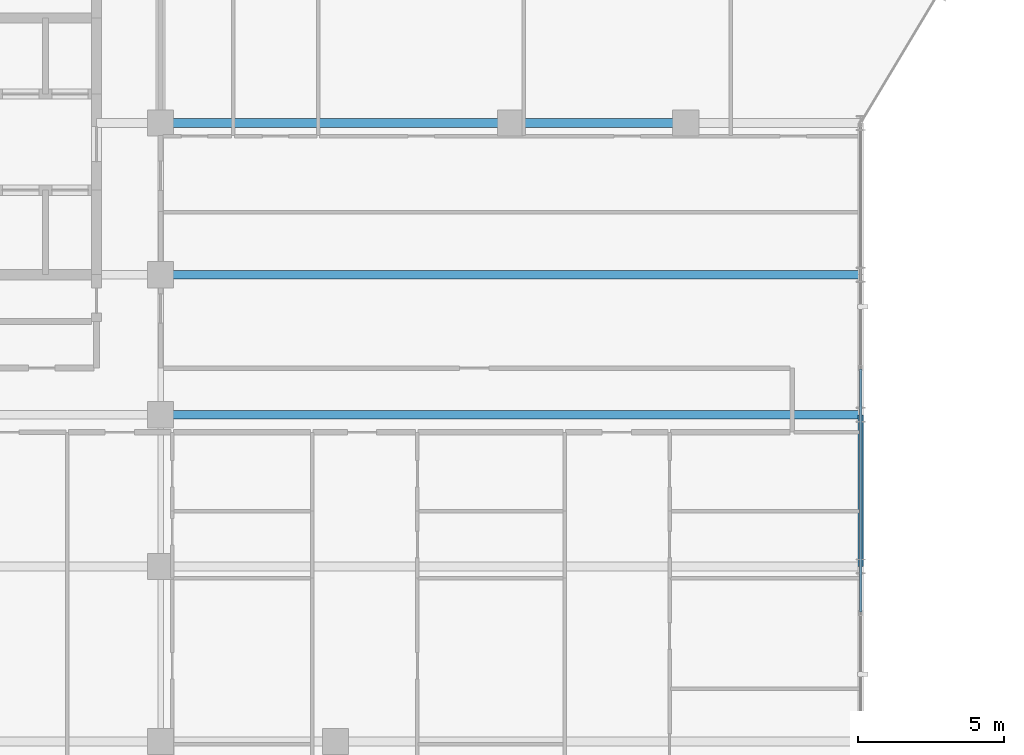
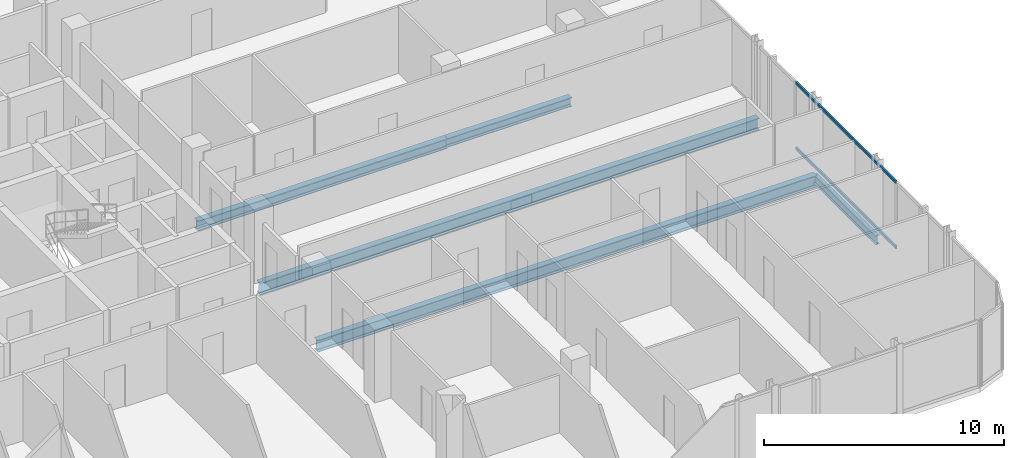
# One storey, part 12 of 31: 5 beams, 2 members, 1 element without a shape of its own.
"""IFC4 building model written with IfcOpenShell, lengths in metres."""

from ifc_helpers import new_model, si_unit, direction, frame, origin, origin_2d, place, context, subcontext, project, spatial, hollow_rectangle, i_section, extrude, material, layer, layer_set, material_profile, profile_set, type_object, element, aggregate, save


model = new_model("IFC4")

# Units and contexts
model_context = context("Model", 3, precision=1e-05, world=origin(), true_north=direction((0.0, 1.0)))
body_context = subcontext(model_context, "Body", "Model", "MODEL_VIEW")
ifc_project = project(units=[si_unit("LENGTHUNIT", "METRE"), si_unit("AREAUNIT", "SQUARE_METRE"), si_unit("VOLUMEUNIT", "CUBIC_METRE"), si_unit("PLANEANGLEUNIT", "RADIAN"), si_unit("MASSUNIT", "GRAM", prefix="KILO")], contexts=[model_context])

# Site, building, storey
site_placement = place(None, origin())
site = spatial("IfcSite", under=ifc_project, at=site_placement, CompositionType="ELEMENT")
building_placement = place(site_placement, origin())
building = spatial("IfcBuilding", under=site, at=building_placement, Name="Keshet Zoharim Tower", CompositionType="ELEMENT")
storey_placement = place(building_placement, frame((0.0, 0.0, 148.300048828125)))
storey = spatial("IfcBuildingStorey", under=building, at=storey_placement, Name="L36", CompositionType="ELEMENT", Elevation=148.300048828125)

# Beams
ifc_material_1 = material(Name="Steel S355", Category="steel")
ifc_material_profile_1 = material_profile(ifc_material_1, i_section(OverallWidth=0.300048828125, OverallDepth=0.60009765625, WebThickness=0.015380859375, FlangeThickness=0.030029296875, FilletRadius=0.027099609375, at=origin_2d()), Name="HEB600")
ifc_profile_set_1 = profile_set([ifc_material_profile_1], Name="Steel S355")
beam_type_1 = type_object("IfcBeamType", Name="BM-LNG-HB600", PredefinedType="BEAM", material=ifc_profile_set_1)
for number, where, z_axis, x_axis, name in (
    (1, (33.0, 17.89990234375, -0.614990234375), (1.0, 0.0, 0.0), (0.0, 1.0, 0.0), "L36 Primary Girder X-013"),
    (2, (33.0, 22.699951171875, -0.614990234375), (1.0, 0.0, 0.0), (0.0, 1.0, 0.0), "L36 Primary Girder X-014"),
):
    element("IfcBeam", number, at=place(storey_placement, frame(where, z_axis=z_axis, x_axis=x_axis)), inside=storey, type_object=beam_type_1, Name=name, PredefinedType="BEAM", context=body_context, shape_type="SweptSolid", body=[
        extrude(i_section(OverallWidth=0.300048828125, OverallDepth=0.60009765625, WebThickness=0.015380859375, FlangeThickness=0.030029296875, FilletRadius=0.027099609375, at=origin_2d()), origin(), (0.0, 0.0, 1.0), 24.0),
    ])
ifc_material_profile_2 = material_profile(ifc_material_1, i_section(OverallWidth=0.300048828125, OverallDepth=0.5, WebThickness=0.014404296875, FlangeThickness=0.028076171875, FilletRadius=0.027099609375, at=origin_2d()), Name="HEB500")
ifc_profile_set_2 = profile_set([ifc_material_profile_2], Name="Steel S355")
beam_type_2 = type_object("IfcBeamType", Name="BM-MED-HB500", PredefinedType="BEAM", material=ifc_profile_set_2)
beam_1_placement = place(storey_placement, frame((33.0, 27.89990234375, -0.56494140625), z_axis=(1.0, 0.0, 0.0), x_axis=(0.0, 1.0, 0.0)))
element("IfcBeam", 3, at=beam_1_placement, inside=storey, type_object=beam_type_2, Name="L36 Primary Girder X-015", PredefinedType="BEAM", context=body_context, shape_type="SweptSolid", body=[
    extrude(i_section(OverallWidth=0.300048828125, OverallDepth=0.5, WebThickness=0.014404296875, FlangeThickness=0.028076171875, FilletRadius=0.027099609375, at=origin_2d()), origin(), (0.0, 0.0, 1.0), 12.0),
])
ifc_material_profile_3 = material_profile(ifc_material_1, i_section(OverallWidth=0.18994140625, OverallDepth=0.449951171875, WebThickness=0.009521484375, FlangeThickness=0.0146484375, FilletRadius=0.02099609375, at=origin_2d()), Name="IPE450")
ifc_profile_set_3 = profile_set([ifc_material_profile_3], Name="Steel S355")
beam_type_3 = type_object("IfcBeamType", Name="BM-PRI-IP450", PredefinedType="BEAM", material=ifc_profile_set_3)
beam_2_placement = place(storey_placement, frame((57.0, 12.699951171875, -0.5400390625), z_axis=(0.0, 1.0, 0.0), x_axis=(-1.0, 0.0, 0.0)))
element("IfcBeam", 4, at=beam_2_placement, inside=storey, type_object=beam_type_3, Name="L36 Primary Girder Y-014", PredefinedType="BEAM", context=body_context, shape_type="SweptSolid", body=[
    extrude(i_section(OverallWidth=0.18994140625, OverallDepth=0.449951171875, WebThickness=0.009521484375, FlangeThickness=0.0146484375, FilletRadius=0.02099609375, at=origin_2d()), origin(), (0.0, 0.0, 1.0), 5.199951171875),
])
ifc_material_profile_4 = material_profile(ifc_material_1, i_section(OverallWidth=0.300048828125, OverallDepth=0.449951171875, WebThickness=0.013916015625, FlangeThickness=0.02587890625, FilletRadius=0.027099609375, at=origin_2d()), Name="HEB450")
ifc_profile_set_4 = profile_set([ifc_material_profile_4], Name="Steel S355")
beam_type_4 = type_object("IfcBeamType", Name="BM-WEB-HB450", PredefinedType="BEAM", material=ifc_profile_set_4)
beam_3_placement = place(storey_placement, frame((45.0, 27.89990234375, -0.5400390625), z_axis=(1.0, 0.0, 0.0), x_axis=(0.0, 1.0, 0.0)))
element("IfcBeam", 5, at=beam_3_placement, inside=storey, type_object=beam_type_4, Name="L36 Primary Girder X-016", PredefinedType="BEAM", context=body_context, shape_type="SweptSolid", body=[
    extrude(i_section(OverallWidth=0.300048828125, OverallDepth=0.449951171875, WebThickness=0.013916015625, FlangeThickness=0.02587890625, FilletRadius=0.027099609375, at=origin_2d()), origin(), (0.0, 0.0, 1.0), 6.0),
])

# Curtain wall, members
ifc_material_2 = material(Name="Aluminium 6063-T6", Category="aluminium")
ifc_layer = layer(ifc_material_2, 0.159912109375)
ifc_layer_set = layer_set([ifc_layer], Name="Aluminium 6063-T6")
curtain_wall_type = type_object("IfcCurtainWallType", Name="CW-SYS-03", PredefinedType="NOTDEFINED", material=ifc_layer_set)
curtain_wall_placement = place(storey_placement, origin())
curtain_wall = element("IfcCurtainWall", 6, at=curtain_wall_placement, inside=storey, type_object=curtain_wall_type, Name="L36 Unitised Curtain Wall 19", PredefinedType="NOTDEFINED")
ifc_material_profile_5 = material_profile(ifc_material_2, hollow_rectangle(XDim=0.080078125, YDim=0.139892578125, WallThickness=0.00390625, at=origin_2d()), Name="TRN-80x140")
ifc_profile_set_5 = profile_set([ifc_material_profile_5], Name="Aluminium 6063-T6")
member_type = type_object("IfcMemberType", Name="CWT-T14", PredefinedType="USERDEFINED", material=ifc_profile_set_5)
member_1_placement = place(storey_placement, frame((57.0, 19.465087890625, 0.034912109375), z_axis=(0.0, -1.0, 0.0), x_axis=(1.0, 0.0, 0.0)))
member_1 = element("IfcMember", 7, at=member_1_placement, type_object=member_type, Name="CW-03 transom 2.1", ObjectType="TRANSOM", PredefinedType="USERDEFINED", context=body_context, shape_type="SweptSolid", body=[
    extrude(hollow_rectangle(XDim=0.080078125, YDim=0.139892578125, WallThickness=0.00390625, at=origin_2d()), origin(), (0.0, 0.0, 1.0), 8.330078125),
])
member_2_placement = place(storey_placement, frame((57.0, 19.465087890625, 3.349853515625), z_axis=(0.0, -1.0, 0.0), x_axis=(1.0, 0.0, 0.0)))
member_2 = element("IfcMember", 8, at=member_2_placement, type_object=member_type, Name="CW-03 transom 2.2", ObjectType="TRANSOM", PredefinedType="USERDEFINED", context=body_context, shape_type="SweptSolid", body=[
    extrude(hollow_rectangle(XDim=0.080078125, YDim=0.139892578125, WallThickness=0.00390625, at=origin_2d()), origin(), (0.0, 0.0, 1.0), 8.330078125),
])
aggregate(curtain_wall, [member_1, member_2])

save(model, "model.ifc")
